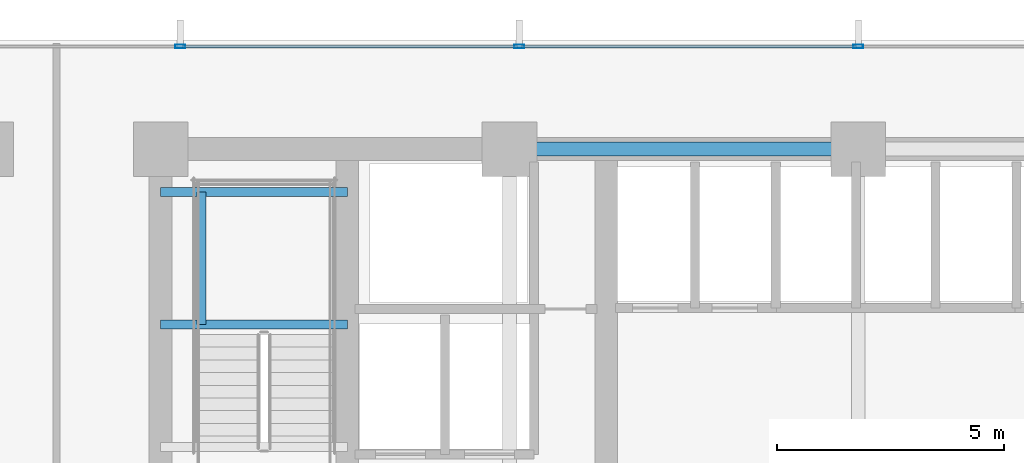
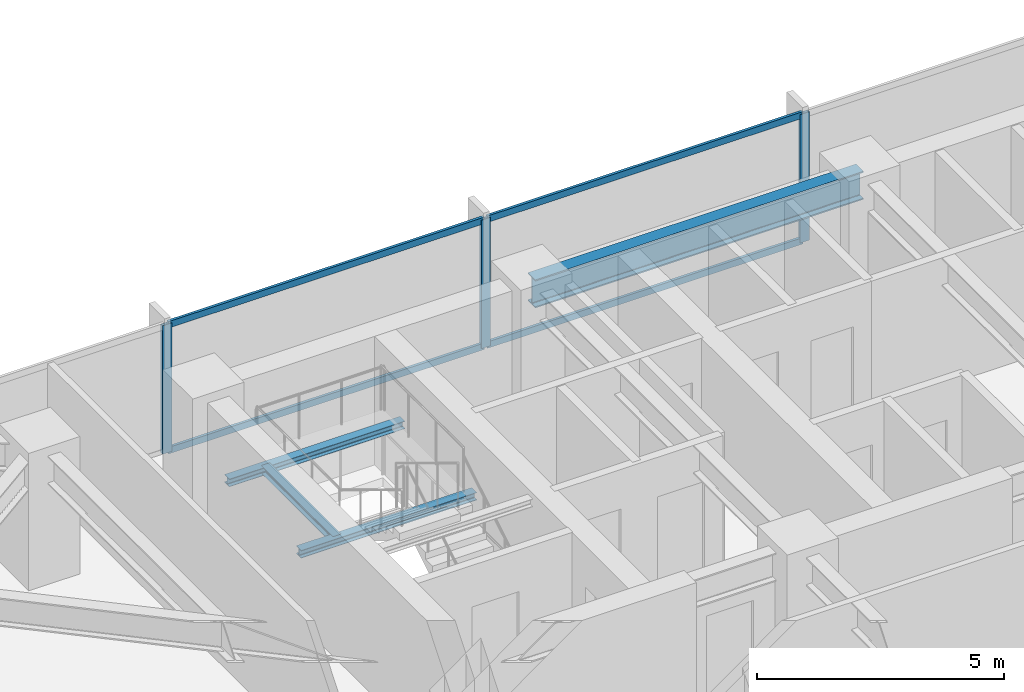
# One storey, part 18 of 32: 7 members, 4 beams, 1 element without a shape of its own.
"""IFC4 building model written with IfcOpenShell, lengths in metres."""

import ifcopenshell
import ifcopenshell.guid

model = None  # the IFC model being written
_history = None  # IfcOwnerHistory: only IFC2X3 demands one
_inside = {}  # id of a spatial element -> (the spatial element, [elements in it])
_under = {}  # id of a project, library or spatial element -> (it, [spatial elements below it])
_declared = {}  # id of a project -> (the project, [libraries it declares])
_typed = {}  # id of a type object -> (the type object, [elements of that type])
_made_of = {}  # id of a material, layer set ... -> (it, [elements and type objects made of it])


def new_model(schema):
    """Start an empty IFC model of exactly this schema.

    Asked for "IFC4X3", IfcOpenShell would pick the latest addendum, in which some entities
    have other attributes; the version numbers below select the first issue.
    IFC2X3 requires an IfcOwnerHistory on every rooted entity: one is made here for all.
    """
    global model, _history
    if schema == "IFC4X3":
        model = ifcopenshell.file(schema_version=(4, 3, 0, 0))
    else:
        model = ifcopenshell.file(schema=schema)
    _inside.clear()
    _under.clear()
    _declared.clear()
    _typed.clear()
    _made_of.clear()
    _history = None
    if model.schema == "IFC2X3":
        org = make("IfcOrganization", Name="unknown")
        user = make(
            "IfcPersonAndOrganization",
            ThePerson=make("IfcPerson", FamilyName="unknown"),
            TheOrganization=org,
        )
        app = make(
            "IfcApplication",
            ApplicationDeveloper=org,
            Version="unknown",
            ApplicationFullName="unknown",
            ApplicationIdentifier="unknown",
        )
        _history = make(
            "IfcOwnerHistory",
            OwningUser=user,
            OwningApplication=app,
            ChangeAction="ADDED",
            CreationDate=0,
        )
    return model


def make(cls, **values):
    """One entity of the class cls with the attributes given. An attribute that is None is left unset."""
    return model.create_entity(
        cls, **{name: value for name, value in values.items() if value is not None}
    )


def rooted(cls, **values):
    """An entity with a GlobalId (a new one), such as an element, a storey or a relation."""
    return make(cls, GlobalId=ifcopenshell.guid.new(), OwnerHistory=_history, **values)


def si_unit(unit_type, name, prefix=None):
    """IfcSIUnit, for example si_unit("LENGTHUNIT", "METRE", prefix="MILLI")."""
    return make("IfcSIUnit", UnitType=unit_type, Prefix=prefix, Name=name)


def assignment(units):
    """IfcUnitAssignment: the units of a project."""
    return None if units is None else make("IfcUnitAssignment", Units=units)


def point(xyz):
    """IfcCartesianPoint."""
    return None if xyz is None else make("IfcCartesianPoint", Coordinates=xyz)


def direction(xyz):
    """IfcDirection."""
    return None if xyz is None else make("IfcDirection", DirectionRatios=xyz)


def frame(location, z_axis=None, x_axis=None):
    """IfcAxis2Placement3D, a coordinate frame: its origin and axes. An axis left out is left unset."""
    return make(
        "IfcAxis2Placement3D",
        Location=point(location),
        Axis=direction(z_axis),
        RefDirection=direction(x_axis),
    )


def frame_2d(location, x_axis=None):
    """IfcAxis2Placement2D, a coordinate frame in the plane: its origin and x axis."""
    return make(
        "IfcAxis2Placement2D", Location=point(location), RefDirection=direction(x_axis)
    )


def origin():
    """The frame at (0, 0, 0) with its axes left unset."""
    return frame((0.0, 0.0, 0.0))


def origin_2d():
    """The frame at (0, 0) in the plane with its x axis left unset."""
    return frame_2d((0.0, 0.0))


def place(relative_to, where):
    """IfcLocalPlacement: puts the frame where relative to a parent placement (None: the world)."""
    return make(
        "IfcLocalPlacement", PlacementRelTo=relative_to, RelativePlacement=where
    )


def context(
    kind, dimensions, precision=None, world=None, true_north=None, identifier=None
):
    """IfcGeometricRepresentationContext, for example the 3D "Model" context."""
    return make(
        "IfcGeometricRepresentationContext",
        ContextIdentifier=identifier,
        ContextType=kind,
        CoordinateSpaceDimension=dimensions,
        Precision=precision,
        WorldCoordinateSystem=world,
        TrueNorth=true_north,
    )


def subcontext(parent, identifier, kind, view, scale=None):
    """IfcGeometricRepresentationSubContext, for example "Body" below "Model"."""
    return make(
        "IfcGeometricRepresentationSubContext",
        ContextIdentifier=identifier,
        ContextType=kind,
        ParentContext=parent,
        TargetScale=scale,
        TargetView=view,
    )


def project(units=None, contexts=None):
    """IfcProject with its units and contexts."""
    return rooted(
        "IfcProject",
        Name="project",
        RepresentationContexts=contexts,
        UnitsInContext=assignment(units),
    )


def spatial(cls, under=None, at=None, **own):
    """A site, building, storey or space (cls), placed at a placement, below another one or the project."""
    s = rooted(cls, ObjectPlacement=at, **own)
    if under is not None:
        _under.setdefault(under.id(), (under, []))[1].append(s)
    return s


def profile(cls, at=None, kind="AREA", **sizes):
    """A parametric profile (cls). Its sizes go by their IFC names, for example OverallWidth=200.0."""
    return make(cls, ProfileType=kind, Position=at, **sizes)


def hollow_rectangle(**sizes):
    """IfcRectangleHollowProfileDef."""
    return profile("IfcRectangleHollowProfileDef", **sizes)


def i_section(**sizes):
    """IfcIShapeProfileDef."""
    return profile("IfcIShapeProfileDef", **sizes)


def extrude(swept, where, along, depth):
    """IfcExtrudedAreaSolid: the profile swept, set in the frame where, extruded along a direction by depth."""
    return make(
        "IfcExtrudedAreaSolid",
        SweptArea=swept,
        Position=where,
        ExtrudedDirection=direction(along),
        Depth=depth,
    )


def shape(context_of_items, identifier, shape_type, items):
    """IfcShapeRepresentation: the items that make up one representation, for example the "Body"."""
    return make(
        "IfcShapeRepresentation",
        ContextOfItems=context_of_items,
        RepresentationIdentifier=identifier,
        RepresentationType=shape_type,
        Items=items,
    )


def material(Name=None, Category=None):
    """IfcMaterial."""
    return make("IfcMaterial", Name=Name, Category=Category)


def material_profile(
    of_material, cross_section, Name=None, Category=None, Priority=None
):
    """IfcMaterialProfile: a cross section and its material."""
    return make(
        "IfcMaterialProfile",
        Name=Name,
        Material=of_material,
        Profile=cross_section,
        Priority=Priority,
        Category=Category,
    )


def profile_set(profiles, Name=None, composite=None):
    """IfcMaterialProfileSet."""
    return make(
        "IfcMaterialProfileSet",
        Name=Name,
        MaterialProfiles=profiles,
        CompositeProfile=composite,
    )


def made_of(thing, what):
    """Note that an element or type object is made of a material, layer set ...; save() writes the relation."""
    if what is not None:
        _made_of.setdefault(what.id(), (what, []))[1].append(thing)
    return thing


def type_object(cls, material=None, **own):
    """A type object (cls), such as IfcWallType, which elements share."""
    return made_of(rooted(cls, **own), material)


def element(
    cls,
    number,
    at=None,
    inside=None,
    cuts=None,
    type_object=None,
    material=None,
    context=None,
    identifier="Body",
    shape_type=None,
    held_by="IfcProductDefinitionShape",
    body=None,
    shapes=None,
    **own,
):
    """One element of the class cls, such as IfcWall. Its Tag is "e" and its number.

    at: its placement. inside: the storey or other place that contains it. cuts: it is an
    opening in that element (IfcRelVoidsElement). A single representation is given by context,
    identifier, shape_type and body (its items); several are given by shapes. held_by: the class
    of the entity that holds the representations. save() writes the other relations.
    """
    e = rooted(cls, Tag="e%d" % number, ObjectPlacement=at, **own)
    if body is not None:
        shapes = [shape(context, identifier, shape_type, body)]
    if shapes is not None:
        e.Representation = make(held_by, Representations=shapes)
    if inside is not None:
        _inside.setdefault(inside.id(), (inside, []))[1].append(e)
    if cuts is not None:
        rooted(
            "IfcRelVoidsElement", RelatingBuildingElement=cuts, RelatedOpeningElement=e
        )
    if type_object is not None:
        _typed.setdefault(type_object.id(), (type_object, []))[1].append(e)
    return made_of(e, material)


def aggregate(whole, parts):
    """IfcRelAggregates: a whole, such as a stair, and the parts it consists of."""
    return rooted("IfcRelAggregates", RelatingObject=whole, RelatedObjects=parts)


def save(model, path):
    """Write the relations noted so far, then the file.

    IfcRelAggregates (storeys below a building ...), IfcRelContainedInSpatialStructure (elements
    in a storey), IfcRelDefinesByType, IfcRelAssociatesMaterial and IfcRelDeclares: one each for
    every whole, place, type object, material and project.
    """
    for whole, parts in _under.values():
        aggregate(whole, parts)
    for where, things in _inside.values():
        rooted(
            "IfcRelContainedInSpatialStructure",
            RelatedElements=things,
            RelatingStructure=where,
        )
    for kind, things in _typed.values():
        rooted("IfcRelDefinesByType", RelatedObjects=things, RelatingType=kind)
    for what, things in _made_of.values():
        rooted("IfcRelAssociatesMaterial", RelatedObjects=things, RelatingMaterial=what)
    for by, libraries in _declared.values():
        rooted("IfcRelDeclares", RelatingContext=by, RelatedDefinitions=libraries)
    model.write(path)


model = new_model("IFC4")

# Units and contexts
model_context = context("Model", 3, precision=1e-05, world=origin(), true_north=direction((0.0, 1.0)))
body_context = subcontext(model_context, "Body", "Model", "MODEL_VIEW")
ifc_project = project(units=[si_unit("LENGTHUNIT", "METRE"), si_unit("AREAUNIT", "SQUARE_METRE"), si_unit("VOLUMEUNIT", "CUBIC_METRE"), si_unit("PLANEANGLEUNIT", "RADIAN"), si_unit("MASSUNIT", "GRAM", prefix="KILO")], contexts=[model_context])

# Site, building, storey
site_placement = place(None, origin())
site = spatial("IfcSite", under=ifc_project, at=site_placement, CompositionType="ELEMENT")
building_placement = place(site_placement, origin())
building = spatial("IfcBuilding", under=site, at=building_placement, Name="Yelkora Congress Tower", CompositionType="ELEMENT")
storey_placement = place(building_placement, frame((0.0, 0.0, 57.60009765625)))
storey = spatial("IfcBuildingStorey", under=building, at=storey_placement, Name="L14", CompositionType="ELEMENT", Elevation=57.60009765625)

# Beams
ifc_material_1 = material(Name="Steel S355J2", Category="steel")
ifc_material_profile_1 = material_profile(ifc_material_1, i_section(OverallWidth=0.300048828125, OverallDepth=0.699951171875, WebThickness=0.01708984375, FlangeThickness=0.031982421875, FilletRadius=0.027099609375, at=origin_2d()), Name="HEB 700")
ifc_profile_set_1 = profile_set([ifc_material_profile_1], Name="Steel S355J2")
beam_type_1 = type_object("IfcBeamType", Name="BM-GIRD-HEB700", PredefinedType="BEAM", material=ifc_profile_set_1)
beam_1_placement = place(storey_placement, frame((30.719970703125, 46.199951171875, 2.829833984375), z_axis=(1.0, 0.0, 0.0), x_axis=(0.0, 1.0, 0.0)))
element("IfcBeam", 1, at=beam_1_placement, inside=storey, type_object=beam_type_1, Name="L14 Core North Girder 3", PredefinedType="BEAM", context=body_context, shape_type="SweptSolid", body=[
    extrude(i_section(OverallWidth=0.300048828125, OverallDepth=0.699951171875, WebThickness=0.01708984375, FlangeThickness=0.031982421875, FilletRadius=0.027099609375, at=origin_2d()), origin(), (0.0, 0.0, 1.0), 7.679931640625),
])
ifc_material_profile_2 = material_profile(ifc_material_1, i_section(OverallWidth=0.199951171875, OverallDepth=0.18994140625, WebThickness=0.006591796875, FlangeThickness=0.010009765625, FilletRadius=0.01806640625, at=origin_2d()), Name="HEA 200")
ifc_profile_set_2 = profile_set([ifc_material_profile_2], Name="Steel S355J2")
beam_type_2 = type_object("IfcBeamType", Name="BM-LAND-HEA200", PredefinedType="BEAM", material=ifc_profile_set_2)
for number, where, z_axis, x_axis, name in (
    (2, (23.0400390625, 42.340087890625, 1.384521484375), (1.0, 0.0, 0.0), (0.0, 1.0, 0.0), "ST-01 L14 Landing Header Beam 1S"),
    (3, (23.0400390625, 45.25, 1.384521484375), (1.0, 0.0, 0.0), (0.0, 1.0, 0.0), "ST-01 L14 Landing Header Beam 1N"),
):
    element("IfcBeam", number, at=place(storey_placement, frame(where, z_axis=z_axis, x_axis=x_axis)), inside=storey, type_object=beam_type_2, Name=name, PredefinedType="BEAM", context=body_context, shape_type="SweptSolid", body=[
        extrude(i_section(OverallWidth=0.199951171875, OverallDepth=0.18994140625, WebThickness=0.006591796875, FlangeThickness=0.010009765625, FilletRadius=0.01806640625, at=origin_2d()), origin(), (0.0, 0.0, 1.0), 4.10986328125),
    ])
beam_2_placement = place(storey_placement, frame((23.93994140625, 42.340087890625, 1.384521484375), z_axis=(0.0, 1.0, 0.0), x_axis=(-1.0, 0.0, 0.0)))
element("IfcBeam", 4, at=beam_2_placement, inside=storey, type_object=beam_type_2, Name="ST-01 L14 Landing Trimmer Beam 1M", PredefinedType="BEAM", context=body_context, shape_type="SweptSolid", body=[
    extrude(i_section(OverallWidth=0.199951171875, OverallDepth=0.18994140625, WebThickness=0.006591796875, FlangeThickness=0.010009765625, FilletRadius=0.01806640625, at=origin_2d()), origin(), (0.0, 0.0, 1.0), 2.909912109375),
])

# Curtain wall, members
ifc_material_2 = material(Name="Anodised aluminium and insulated glass", Category="aluminium")
curtain_wall_type = type_object("IfcCurtainWallType", Name="CW-SYS-B1", PredefinedType="NOTDEFINED", material=ifc_material_2)
curtain_wall_placement = place(storey_placement, origin())
curtain_wall = element("IfcCurtainWall", 5, at=curtain_wall_placement, inside=storey, type_object=curtain_wall_type, Name="L14 Unitised Curtain Wall 10", PredefinedType="NOTDEFINED")
ifc_material_3 = material(Name="Anodised aluminium 6063-T6", Category="aluminium")
ifc_material_profile_3 = material_profile(ifc_material_3, hollow_rectangle(XDim=0.074951171875, YDim=0.219970703125, WallThickness=0.0048828125, at=origin_2d()), Name="ALU 75x220x5")
ifc_profile_set_3 = profile_set([ifc_material_profile_3], Name="Anodised aluminium 6063-T6")
member_type_1 = type_object("IfcMemberType", Name="MEM-ML-B1", PredefinedType="MULLION", material=ifc_profile_set_3)
member_1_placement = place(storey_placement, frame((23.469970703125, 48.4599609375, 0.0), z_axis=(0.0, 0.0, 1.0), x_axis=(0.0, 1.0, 0.0)))
member_1 = element("IfcMember", 6, at=member_1_placement, type_object=member_type_1, Name="CW-B1 mullion 3", PredefinedType="MULLION", context=body_context, shape_type="SweptSolid", body=[
    extrude(hollow_rectangle(XDim=0.074951171875, YDim=0.219970703125, WallThickness=0.0048828125, at=origin_2d()), origin(), (0.0, 0.0, 1.0), 3.179931640625),
])
member_2_placement = place(storey_placement, frame((30.93505859375, 48.4599609375, 0.0), z_axis=(0.0, 0.0, 1.0), x_axis=(0.0, 1.0, 0.0)))
member_2 = element("IfcMember", 7, at=member_2_placement, type_object=member_type_1, Name="CW-B1 mullion 4", PredefinedType="MULLION", context=body_context, shape_type="SweptSolid", body=[
    extrude(hollow_rectangle(XDim=0.074951171875, YDim=0.219970703125, WallThickness=0.0048828125, at=origin_2d()), origin(), (0.0, 0.0, 1.0), 3.179931640625),
])
member_3_placement = place(storey_placement, frame((38.39990234375, 48.4599609375, 0.0), z_axis=(0.0, 0.0, 1.0), x_axis=(0.0, 1.0, 0.0)))
member_3 = element("IfcMember", 8, at=member_3_placement, type_object=member_type_1, Name="CW-B1 mullion 5", PredefinedType="MULLION", context=body_context, shape_type="SweptSolid", body=[
    extrude(hollow_rectangle(XDim=0.074951171875, YDim=0.219970703125, WallThickness=0.0048828125, at=origin_2d()), origin(), (0.0, 0.0, 1.0), 3.179931640625),
])
ifc_material_profile_4 = material_profile(ifc_material_3, hollow_rectangle(XDim=0.06494140625, YDim=0.159912109375, WallThickness=0.00390625, at=origin_2d()), Name="ALU 65x160x4")
ifc_profile_set_4 = profile_set([ifc_material_profile_4], Name="Anodised aluminium 6063-T6")
member_type_2 = type_object("IfcMemberType", Name="MEM-TR-B1", PredefinedType="USERDEFINED", material=ifc_profile_set_4)
member_4_placement = place(storey_placement, frame((23.507568359375, 48.4599609375, 0.032470703125), z_axis=(1.0, 0.0, 0.0), x_axis=(0.0, 1.0, 0.0)))
member_4 = element("IfcMember", 9, at=member_4_placement, type_object=member_type_2, Name="CW-B1 transom 3.1", ObjectType="TRANSOM", PredefinedType="USERDEFINED", context=body_context, shape_type="SweptSolid", body=[
    extrude(hollow_rectangle(XDim=0.06494140625, YDim=0.159912109375, WallThickness=0.00390625, at=origin_2d()), origin(), (0.0, 0.0, 1.0), 7.389892578125),
])
member_5_placement = place(storey_placement, frame((23.507568359375, 48.4599609375, 3.1474609375), z_axis=(1.0, 0.0, 0.0), x_axis=(0.0, 1.0, 0.0)))
member_5 = element("IfcMember", 10, at=member_5_placement, type_object=member_type_2, Name="CW-B1 transom 3.2", ObjectType="TRANSOM", PredefinedType="USERDEFINED", context=body_context, shape_type="SweptSolid", body=[
    extrude(hollow_rectangle(XDim=0.06494140625, YDim=0.159912109375, WallThickness=0.00390625, at=origin_2d()), origin(), (0.0, 0.0, 1.0), 7.389892578125),
])
member_6_placement = place(storey_placement, frame((30.972412109375, 48.4599609375, 0.032470703125), z_axis=(1.0, 0.0, 0.0), x_axis=(0.0, 1.0, 0.0)))
member_6 = element("IfcMember", 11, at=member_6_placement, type_object=member_type_2, Name="CW-B1 transom 4.1", ObjectType="TRANSOM", PredefinedType="USERDEFINED", context=body_context, shape_type="SweptSolid", body=[
    extrude(hollow_rectangle(XDim=0.06494140625, YDim=0.159912109375, WallThickness=0.00390625, at=origin_2d()), origin(), (0.0, 0.0, 1.0), 7.39013671875),
])
member_7_placement = place(storey_placement, frame((30.972412109375, 48.4599609375, 3.1474609375), z_axis=(1.0, 0.0, 0.0), x_axis=(0.0, 1.0, 0.0)))
member_7 = element("IfcMember", 12, at=member_7_placement, type_object=member_type_2, Name="CW-B1 transom 4.2", ObjectType="TRANSOM", PredefinedType="USERDEFINED", context=body_context, shape_type="SweptSolid", body=[
    extrude(hollow_rectangle(XDim=0.06494140625, YDim=0.159912109375, WallThickness=0.00390625, at=origin_2d()), origin(), (0.0, 0.0, 1.0), 7.39013671875),
])
aggregate(curtain_wall, [member_1, member_2, member_3, member_4, member_5, member_6, member_7])

save(model, "model.ifc")
